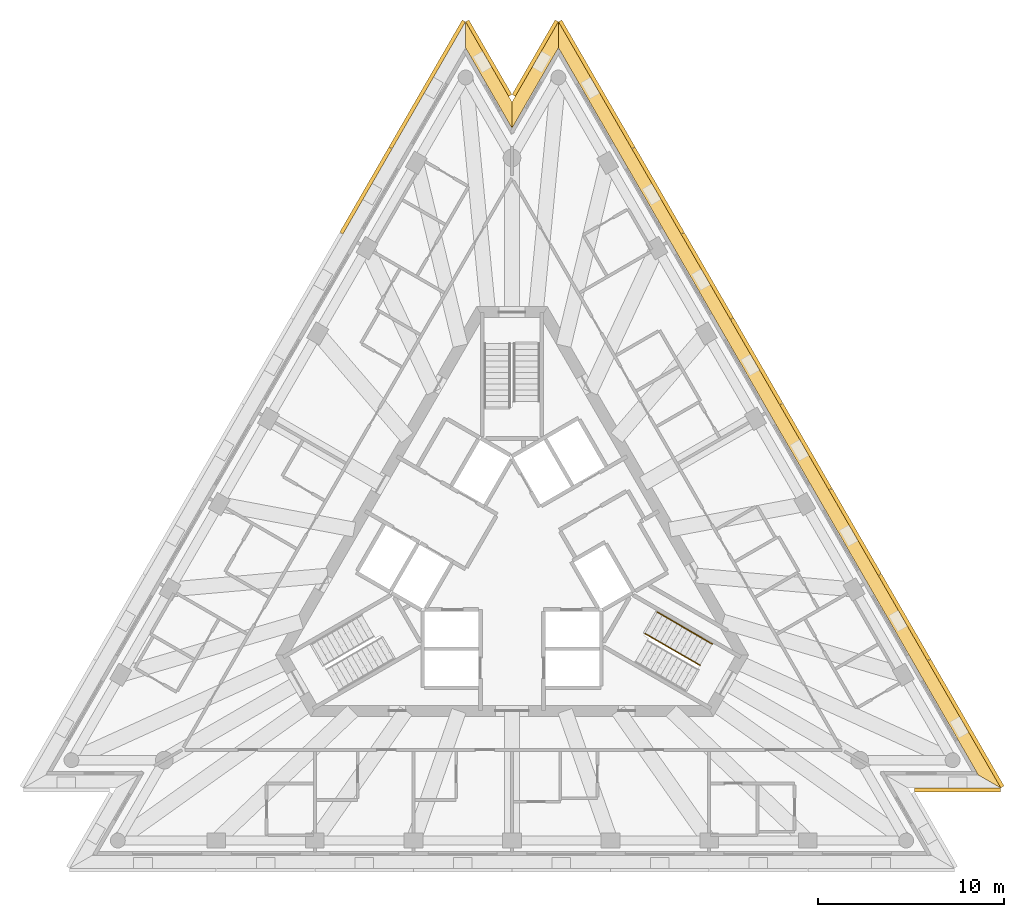
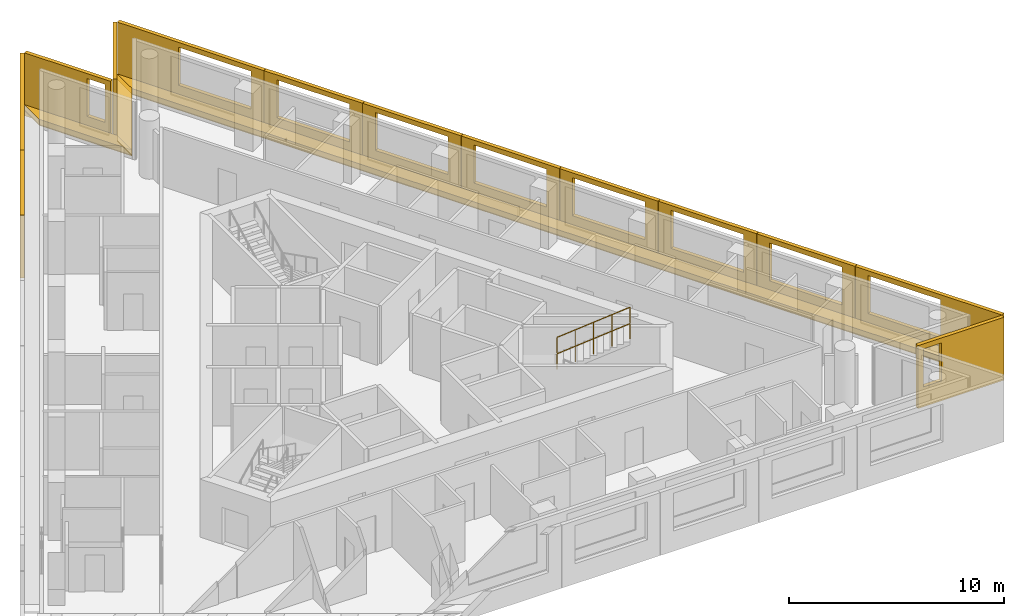
# One storey, part 11 of 11: 16 shading devices, 3 coverings, 2 railings, 1 element without a shape of its own.
"""IFC4 building model written with IfcOpenShell, lengths in metres."""

import ifcopenshell
import ifcopenshell.guid

model = None  # the IFC model being written
_history = None  # IfcOwnerHistory: only IFC2X3 demands one
_inside = {}  # id of a spatial element -> (the spatial element, [elements in it])
_under = {}  # id of a project, library or spatial element -> (it, [spatial elements below it])
_declared = {}  # id of a project -> (the project, [libraries it declares])
_typed = {}  # id of a type object -> (the type object, [elements of that type])
_made_of = {}  # id of a material, layer set ... -> (it, [elements and type objects made of it])


def new_model(schema):
    """Start an empty IFC model of exactly this schema.

    Asked for "IFC4X3", IfcOpenShell would pick the latest addendum, in which some entities
    have other attributes; the version numbers below select the first issue.
    IFC2X3 requires an IfcOwnerHistory on every rooted entity: one is made here for all.
    """
    global model, _history
    if schema == "IFC4X3":
        model = ifcopenshell.file(schema_version=(4, 3, 0, 0))
    else:
        model = ifcopenshell.file(schema=schema)
    _inside.clear()
    _under.clear()
    _declared.clear()
    _typed.clear()
    _made_of.clear()
    _history = None
    if model.schema == "IFC2X3":
        org = make("IfcOrganization", Name="unknown")
        user = make(
            "IfcPersonAndOrganization",
            ThePerson=make("IfcPerson", FamilyName="unknown"),
            TheOrganization=org,
        )
        app = make(
            "IfcApplication",
            ApplicationDeveloper=org,
            Version="unknown",
            ApplicationFullName="unknown",
            ApplicationIdentifier="unknown",
        )
        _history = make(
            "IfcOwnerHistory",
            OwningUser=user,
            OwningApplication=app,
            ChangeAction="ADDED",
            CreationDate=0,
        )
    return model


def make(cls, **values):
    """One entity of the class cls with the attributes given. An attribute that is None is left unset."""
    return model.create_entity(
        cls, **{name: value for name, value in values.items() if value is not None}
    )


def rooted(cls, **values):
    """An entity with a GlobalId (a new one), such as an element, a storey or a relation."""
    return make(cls, GlobalId=ifcopenshell.guid.new(), OwnerHistory=_history, **values)


def si_unit(unit_type, name, prefix=None):
    """IfcSIUnit, for example si_unit("LENGTHUNIT", "METRE", prefix="MILLI")."""
    return make("IfcSIUnit", UnitType=unit_type, Prefix=prefix, Name=name)


def assignment(units):
    """IfcUnitAssignment: the units of a project."""
    return None if units is None else make("IfcUnitAssignment", Units=units)


def point(xyz):
    """IfcCartesianPoint."""
    return None if xyz is None else make("IfcCartesianPoint", Coordinates=xyz)


def direction(xyz):
    """IfcDirection."""
    return None if xyz is None else make("IfcDirection", DirectionRatios=xyz)


def frame(location, z_axis=None, x_axis=None):
    """IfcAxis2Placement3D, a coordinate frame: its origin and axes. An axis left out is left unset."""
    return make(
        "IfcAxis2Placement3D",
        Location=point(location),
        Axis=direction(z_axis),
        RefDirection=direction(x_axis),
    )


def frame_2d(location, x_axis=None):
    """IfcAxis2Placement2D, a coordinate frame in the plane: its origin and x axis."""
    return make(
        "IfcAxis2Placement2D", Location=point(location), RefDirection=direction(x_axis)
    )


def origin():
    """The frame at (0, 0, 0) with its axes left unset."""
    return frame((0.0, 0.0, 0.0))


def origin_2d():
    """The frame at (0, 0) in the plane with its x axis left unset."""
    return frame_2d((0.0, 0.0))


def place(relative_to, where):
    """IfcLocalPlacement: puts the frame where relative to a parent placement (None: the world)."""
    return make(
        "IfcLocalPlacement", PlacementRelTo=relative_to, RelativePlacement=where
    )


def context(
    kind, dimensions, precision=None, world=None, true_north=None, identifier=None
):
    """IfcGeometricRepresentationContext, for example the 3D "Model" context."""
    return make(
        "IfcGeometricRepresentationContext",
        ContextIdentifier=identifier,
        ContextType=kind,
        CoordinateSpaceDimension=dimensions,
        Precision=precision,
        WorldCoordinateSystem=world,
        TrueNorth=true_north,
    )


def subcontext(parent, identifier, kind, view, scale=None):
    """IfcGeometricRepresentationSubContext, for example "Body" below "Model"."""
    return make(
        "IfcGeometricRepresentationSubContext",
        ContextIdentifier=identifier,
        ContextType=kind,
        ParentContext=parent,
        TargetScale=scale,
        TargetView=view,
    )


def project(units=None, contexts=None):
    """IfcProject with its units and contexts."""
    return rooted(
        "IfcProject",
        Name="project",
        RepresentationContexts=contexts,
        UnitsInContext=assignment(units),
    )


def spatial(cls, under=None, at=None, **own):
    """A site, building, storey or space (cls), placed at a placement, below another one or the project."""
    s = rooted(cls, ObjectPlacement=at, **own)
    if under is not None:
        _under.setdefault(under.id(), (under, []))[1].append(s)
    return s


def polyline(points):
    """IfcPolyline through the points."""
    return make("IfcPolyline", Points=[point(p) for p in points])


def profile(cls, at=None, kind="AREA", **sizes):
    """A parametric profile (cls). Its sizes go by their IFC names, for example OverallWidth=200.0."""
    return make(cls, ProfileType=kind, Position=at, **sizes)


def circle(**sizes):
    """IfcCircleProfileDef."""
    return profile("IfcCircleProfileDef", **sizes)


def outline(outer, holes=None, kind="AREA"):
    """IfcArbitraryClosedProfileDef: a profile drawn as a closed curve; with holes, ...WithVoids."""
    if holes is None:
        return make("IfcArbitraryClosedProfileDef", ProfileType=kind, OuterCurve=outer)
    return make(
        "IfcArbitraryProfileDefWithVoids",
        ProfileType=kind,
        OuterCurve=outer,
        InnerCurves=holes,
    )


def extrude(swept, where, along, depth):
    """IfcExtrudedAreaSolid: the profile swept, set in the frame where, extruded along a direction by depth."""
    return make(
        "IfcExtrudedAreaSolid",
        SweptArea=swept,
        Position=where,
        ExtrudedDirection=direction(along),
        Depth=depth,
    )


def shape(context_of_items, identifier, shape_type, items):
    """IfcShapeRepresentation: the items that make up one representation, for example the "Body"."""
    return make(
        "IfcShapeRepresentation",
        ContextOfItems=context_of_items,
        RepresentationIdentifier=identifier,
        RepresentationType=shape_type,
        Items=items,
    )


def material(Name=None, Category=None):
    """IfcMaterial."""
    return make("IfcMaterial", Name=Name, Category=Category)


def layer(
    of_material, thickness, ventilated=None, Name=None, Category=None, Priority=None
):
    """IfcMaterialLayer: one layer of a wall or slab, of a material (None: an air gap)."""
    return make(
        "IfcMaterialLayer",
        Material=of_material,
        LayerThickness=thickness,
        IsVentilated=ventilated,
        Name=Name,
        Category=Category,
        Priority=Priority,
    )


def layer_set(layers, Name=None):
    """IfcMaterialLayerSet."""
    return make("IfcMaterialLayerSet", MaterialLayers=layers, LayerSetName=Name)


def layer_usage(for_layer_set, set_direction, sense, offset, extent=None):
    """IfcMaterialLayerSetUsage: how a layer set lies in its element."""
    return make(
        "IfcMaterialLayerSetUsage",
        ForLayerSet=for_layer_set,
        LayerSetDirection=set_direction,
        DirectionSense=sense,
        OffsetFromReferenceLine=offset,
        ReferenceExtent=extent,
    )


def made_of(thing, what):
    """Note that an element or type object is made of a material, layer set ...; save() writes the relation."""
    if what is not None:
        _made_of.setdefault(what.id(), (what, []))[1].append(thing)
    return thing


def type_object(cls, material=None, **own):
    """A type object (cls), such as IfcWallType, which elements share."""
    return made_of(rooted(cls, **own), material)


def element(
    cls,
    number,
    at=None,
    inside=None,
    cuts=None,
    type_object=None,
    material=None,
    context=None,
    identifier="Body",
    shape_type=None,
    held_by="IfcProductDefinitionShape",
    body=None,
    shapes=None,
    **own,
):
    """One element of the class cls, such as IfcWall. Its Tag is "e" and its number.

    at: its placement. inside: the storey or other place that contains it. cuts: it is an
    opening in that element (IfcRelVoidsElement). A single representation is given by context,
    identifier, shape_type and body (its items); several are given by shapes. held_by: the class
    of the entity that holds the representations. save() writes the other relations.
    """
    e = rooted(cls, Tag="e%d" % number, ObjectPlacement=at, **own)
    if body is not None:
        shapes = [shape(context, identifier, shape_type, body)]
    if shapes is not None:
        e.Representation = make(held_by, Representations=shapes)
    if inside is not None:
        _inside.setdefault(inside.id(), (inside, []))[1].append(e)
    if cuts is not None:
        rooted(
            "IfcRelVoidsElement", RelatingBuildingElement=cuts, RelatedOpeningElement=e
        )
    if type_object is not None:
        _typed.setdefault(type_object.id(), (type_object, []))[1].append(e)
    return made_of(e, material)


def aggregate(whole, parts):
    """IfcRelAggregates: a whole, such as a stair, and the parts it consists of."""
    return rooted("IfcRelAggregates", RelatingObject=whole, RelatedObjects=parts)


def save(model, path):
    """Write the relations noted so far, then the file.

    IfcRelAggregates (storeys below a building ...), IfcRelContainedInSpatialStructure (elements
    in a storey), IfcRelDefinesByType, IfcRelAssociatesMaterial and IfcRelDeclares: one each for
    every whole, place, type object, material and project.
    """
    for whole, parts in _under.values():
        aggregate(whole, parts)
    for where, things in _inside.values():
        rooted(
            "IfcRelContainedInSpatialStructure",
            RelatedElements=things,
            RelatingStructure=where,
        )
    for kind, things in _typed.values():
        rooted("IfcRelDefinesByType", RelatedObjects=things, RelatingType=kind)
    for what, things in _made_of.values():
        rooted("IfcRelAssociatesMaterial", RelatedObjects=things, RelatingMaterial=what)
    for by, libraries in _declared.values():
        rooted("IfcRelDeclares", RelatingContext=by, RelatedDefinitions=libraries)
    model.write(path)


model = new_model("IFC4")

# Units and contexts
model_context = context("Model", 3, precision=1e-05, world=origin(), true_north=direction((0.0, 1.0)))
body_context = subcontext(model_context, "Body", "Model", "MODEL_VIEW")
ifc_project = project(units=[si_unit("LENGTHUNIT", "METRE"), si_unit("AREAUNIT", "SQUARE_METRE"), si_unit("VOLUMEUNIT", "CUBIC_METRE"), si_unit("PLANEANGLEUNIT", "RADIAN"), si_unit("MASSUNIT", "GRAM", prefix="KILO")], contexts=[model_context])

# Site, building, storey
site_placement = place(None, origin())
site = spatial("IfcSite", under=ifc_project, at=site_placement, CompositionType="ELEMENT")
building_placement = place(site_placement, origin())
building = spatial("IfcBuilding", under=site, at=building_placement, Name="Triada Interchange Tower", CompositionType="ELEMENT")
storey_placement = place(building_placement, frame((0.0, 0.0, 300.699951171875)))
storey = spatial("IfcBuildingStorey", under=building, at=storey_placement, Name="L71", CompositionType="ELEMENT", Elevation=300.699951171875)

# Coverings
ifc_material_1 = material(Name="Mineral fire-stop board")
ifc_layer_1 = layer(ifc_material_1, 0.0400390625, Name="Mineral fire-stop board")
ifc_material_2 = material(Name="Intumescent sealant")
ifc_layer_2 = layer(ifc_material_2, 0.010009765625, Name="Intumescent seal")
ifc_layer_set_1 = layer_set([ifc_layer_1, ifc_layer_2], Name="Cavity fire stop")
ifc_layer_usage = layer_usage(ifc_layer_set_1, "AXIS3", "POSITIVE", 0.0)
covering_type = type_object("IfcCoveringType", Name="Cavity fire stop", PredefinedType="INSULATION", material=ifc_layer_set_1)
covering_1_placement = place(storey_placement, origin())
element("IfcCovering", 1, at=covering_1_placement, inside=storey, type_object=covering_type, material=ifc_layer_usage, Name="Cavity fire stop L71 NE", PredefinedType="INSULATION", context=body_context, shape_type="SweptSolid", body=[
    extrude(outline(polyline([(25.087890625, -11.60009765625), (26.300048828125, -12.300048828125), (2.498046875, 28.927001953125), (2.498046875, 27.527099609375), (25.087890625, -11.60009765625)])), origin(), (0.0, 0.0, 1.0), 0.050048828125),
])
covering_2_placement = place(storey_placement, origin())
element("IfcCovering", 2, at=covering_2_placement, inside=storey, type_object=covering_type, material=ifc_layer_usage, Name="Cavity fire stop L71 N-1", PredefinedType="INSULATION", context=body_context, shape_type="SweptSolid", body=[
    extrude(outline(polyline([(2.498046875, 27.527099609375), (2.498046875, 28.927001953125), (0.0, 24.59912109375), (0.0, 23.198974609375), (2.498046875, 27.527099609375)])), origin(), (0.0, 0.0, 1.0), 0.050048828125),
])
covering_3_placement = place(storey_placement, origin())
element("IfcCovering", 3, at=covering_3_placement, inside=storey, type_object=covering_type, material=ifc_layer_usage, Name="Cavity fire stop L71 N-2", PredefinedType="INSULATION", context=body_context, shape_type="SweptSolid", body=[
    extrude(outline(polyline([(0.0, 23.198974609375), (0.0, 24.59912109375), (-2.498046875, 28.927001953125), (-2.498046875, 27.527099609375), (0.0, 23.198974609375)])), origin(), (0.0, 0.0, 1.0), 0.050048828125),
])

# Shading devices
ifc_material_3 = material(Name="Aluminium louvre", Category="aluminium")
shading_device_type_1 = type_object("IfcShadingDeviceType", Name="Cavity louvre grille", PredefinedType="JALOUSIE", material=ifc_material_3)
shading_device_1_placement = place(storey_placement, frame((0.0, 0.0, 0.050048828125)))
element("IfcShadingDevice", 4, at=shading_device_1_placement, inside=storey, type_object=shading_device_type_1, Name="Cavity louvre grille L71 NE", PredefinedType="JALOUSIE", context=body_context, shape_type="SweptSolid", body=[
    extrude(outline(polyline([(25.087890625, -11.60009765625), (26.300048828125, -12.300048828125), (2.498046875, 28.927001953125), (2.498046875, 27.527099609375), (25.087890625, -11.60009765625)])), origin(), (0.0, 0.0, 1.0), 0.300048828125),
])
shading_device_2_placement = place(storey_placement, frame((0.0, 0.0, 0.050048828125)))
element("IfcShadingDevice", 5, at=shading_device_2_placement, inside=storey, type_object=shading_device_type_1, Name="Cavity louvre grille L71 N-1", PredefinedType="JALOUSIE", context=body_context, shape_type="SweptSolid", body=[
    extrude(outline(polyline([(2.498046875, 27.527099609375), (2.498046875, 28.927001953125), (0.0, 24.59912109375), (0.0, 23.198974609375), (2.498046875, 27.527099609375)])), origin(), (0.0, 0.0, 1.0), 0.300048828125),
])
shading_device_3_placement = place(storey_placement, frame((0.0, 0.0, 0.050048828125)))
element("IfcShadingDevice", 6, at=shading_device_3_placement, inside=storey, type_object=shading_device_type_1, Name="Cavity louvre grille L71 N-2", PredefinedType="JALOUSIE", context=body_context, shape_type="SweptSolid", body=[
    extrude(outline(polyline([(0.0, 23.198974609375), (0.0, 24.59912109375), (-2.498046875, 28.927001953125), (-2.498046875, 27.527099609375), (0.0, 23.198974609375)])), origin(), (0.0, 0.0, 1.0), 0.300048828125),
])
ifc_material_4 = material(Name="Concrete C50/60 precast", Category="concrete")
ifc_layer_3 = layer(ifc_material_4, 0.02001953125, Name="Exposed aggregate face")
ifc_layer_4 = layer(ifc_material_4, 0.179931640625, Name="Precast concrete screen")
ifc_layer_set_2 = layer_set([ifc_layer_3, ifc_layer_4], Name="Outer skin screen panel 3580")
shading_device_type_2 = type_object("IfcShadingDeviceType", Name="Outer skin screen panel 3580", PredefinedType="SHUTTER", material=ifc_layer_set_2)
shading_device_4_placement = place(storey_placement, frame((-2.5029296875, 28.91796875, -0.2900390625), z_axis=(0.0, 0.0, 1.0), x_axis=(-0.500088123115, -0.865974519902, 0.0)))
element("IfcShadingDevice", 7, at=shading_device_4_placement, inside=storey, type_object=shading_device_type_2, Name="Outer skin screen panel L71 01", PredefinedType="SHUTTER", context=body_context, shape_type="SweptSolid", body=[
    extrude(outline(polyline([(0.0, 0.0), (7.87890625, 0.0), (7.87890625, 3.580078125), (0.0, 3.580078125), (0.0, 0.0)]), holes=[polyline([(3.28857421875, 1.139892578125), (3.28857421875, 3.300048828125), (7.188720703125, 3.300048828125), (7.188720703125, 1.139892578125), (3.28857421875, 1.139892578125)])]), frame((0.0, 0.0, 0.0), z_axis=(0.0, -1.0, 0.0), x_axis=(1.0, 0.0, 0.0)), (0.0, 0.0, 1.0), 0.199951171875),
])
shading_device_5_placement = place(storey_placement, frame((-6.452880859375, 22.076904296875, -0.2900390625), z_axis=(0.0, 0.0, 1.0), x_axis=(-0.499987936291, -0.866032368658, 0.0)))
element("IfcShadingDevice", 8, at=shading_device_5_placement, inside=storey, type_object=shading_device_type_2, Name="Outer skin screen panel L71 02", PredefinedType="SHUTTER", context=body_context, shape_type="SweptSolid", body=[
    extrude(outline(polyline([(0.0, 0.0), (5.280517578125, 0.0), (5.280517578125, 3.580078125), (0.0, 3.580078125), (0.0, 0.0)]), holes=[polyline([(0.6904296875, 1.139892578125), (0.6904296875, 3.300048828125), (4.59033203125, 3.300048828125), (4.59033203125, 1.139892578125), (0.6904296875, 1.139892578125)])]), frame((0.0, 0.0, 0.0), z_axis=(0.0, -1.0, 0.0), x_axis=(1.0, 0.0, 0.0)), (0.0, 0.0, 1.0), 0.199951171875),
])
shading_device_6_placement = place(storey_placement, frame((21.659912109375, -12.300048828125, -0.2900390625), z_axis=(0.0, 0.0, 1.0), x_axis=(1.0, 0.0, 0.0)))
element("IfcShadingDevice", 9, at=shading_device_6_placement, inside=storey, type_object=shading_device_type_2, Name="Outer skin screen panel L71 20", PredefinedType="SHUTTER", context=body_context, shape_type="SweptSolid", body=[
    extrude(outline(polyline([(0.0, 0.0), (4.630126953125, 0.0), (4.630126953125, 3.580078125), (0.0, 3.580078125), (0.0, 0.0)]), holes=[polyline([(0.300048828125, 1.139892578125), (0.300048828125, 3.300048828125), (1.258056640625, 3.300048828125), (1.258056640625, 1.139892578125), (0.300048828125, 1.139892578125)])]), frame((0.0, 0.0, 0.0), z_axis=(0.0, -1.0, 0.0), x_axis=(1.0, 0.0, 0.0)), (0.0, 0.0, 1.0), 0.199951171875),
])
shading_device_7_placement = place(storey_placement, frame((26.294921875, -12.291015625, -0.2900390625), z_axis=(0.0, 0.0, 1.0), x_axis=(-0.499971924588, 0.866041612524, 0.0)))
element("IfcShadingDevice", 10, at=shading_device_7_placement, inside=storey, type_object=shading_device_type_2, Name="Outer skin screen panel L71 21", PredefinedType="SHUTTER", context=body_context, shape_type="SweptSolid", body=[
    extrude(outline(polyline([(0.0, 0.0), (7.87841796875, 0.0), (7.87841796875, 3.580078125), (0.0, 3.580078125), (0.0, 0.0)]), holes=[polyline([(3.288330078125, 1.139892578125), (3.288330078125, 3.300048828125), (7.188232421875, 3.300048828125), (7.188232421875, 1.139892578125), (3.288330078125, 1.139892578125)])]), frame((0.0, 0.0, 0.0), z_axis=(0.0, -1.0, 0.0), x_axis=(1.0, 0.0, 0.0)), (0.0, 0.0, 1.0), 0.199951171875),
])
shading_device_8_placement = place(storey_placement, frame((22.345947265625, -5.449951171875, -0.2900390625), z_axis=(0.0, 0.0, 1.0), x_axis=(-0.500091956443, 0.865972306197, 0.0)))
element("IfcShadingDevice", 11, at=shading_device_8_placement, inside=storey, type_object=shading_device_type_2, Name="Outer skin screen panel L71 22", PredefinedType="SHUTTER", context=body_context, shape_type="SweptSolid", body=[
    extrude(outline(polyline([(0.0, 0.0), (5.28076171875, 0.0), (5.28076171875, 3.580078125), (0.0, 3.580078125), (0.0, 0.0)]), holes=[polyline([(0.690185546875, 1.139892578125), (0.690185546875, 3.300048828125), (4.590087890625, 3.300048828125), (4.590087890625, 1.139892578125), (0.690185546875, 1.139892578125)])]), frame((0.0, 0.0, 0.0), z_axis=(0.0, -1.0, 0.0), x_axis=(1.0, 0.0, 0.0)), (0.0, 0.0, 1.0), 0.199951171875),
])
shading_device_9_placement = place(storey_placement, frame((19.695068359375, -0.860107421875, -0.2900390625), z_axis=(0.0, 0.0, 1.0), x_axis=(-0.499887852359, 0.866090142574, 0.0)))
element("IfcShadingDevice", 12, at=shading_device_9_placement, inside=storey, type_object=shading_device_type_2, Name="Outer skin screen panel L71 23", PredefinedType="SHUTTER", context=body_context, shape_type="SweptSolid", body=[
    extrude(outline(polyline([(0.0, 0.0), (5.281494140625, 0.0), (5.281494140625, 3.580078125), (0.0, 3.580078125), (0.0, 0.0)]), holes=[polyline([(0.690185546875, 1.139892578125), (0.690185546875, 3.300048828125), (4.590087890625, 3.300048828125), (4.590087890625, 1.139892578125), (0.690185546875, 1.139892578125)])]), frame((0.0, 0.0, 0.0), z_axis=(0.0, -1.0, 0.0), x_axis=(1.0, 0.0, 0.0)), (0.0, 0.0, 1.0), 0.199951171875),
])
shading_device_10_placement = place(storey_placement, frame((17.044921875, 3.73095703125, -0.2900390625), z_axis=(0.0, 0.0, 1.0), x_axis=(-0.500011881073, 0.866018544135, 0.0)))
element("IfcShadingDevice", 13, at=shading_device_10_placement, inside=storey, type_object=shading_device_type_2, Name="Outer skin screen panel L71 24", PredefinedType="SHUTTER", context=body_context, shape_type="SweptSolid", body=[
    extrude(outline(polyline([(0.0, 0.0), (5.281494140625, 0.0), (5.281494140625, 3.580078125), (0.0, 3.580078125), (0.0, 0.0)]), holes=[polyline([(0.68994140625, 1.139892578125), (0.68994140625, 3.300048828125), (4.590087890625, 3.300048828125), (4.590087890625, 1.139892578125), (0.68994140625, 1.139892578125)])]), frame((0.0, 0.0, 0.0), z_axis=(0.0, -1.0, 0.0), x_axis=(1.0, 0.0, 0.0)), (0.0, 0.0, 1.0), 0.199951171875),
])
shading_device_11_placement = place(storey_placement, frame((14.39404296875, 8.322021484375, -0.2900390625), z_axis=(0.0, 0.0, 1.0), x_axis=(-0.499907866474, 0.866078590566, 0.0)))
element("IfcShadingDevice", 14, at=shading_device_11_placement, inside=storey, type_object=shading_device_type_2, Name="Outer skin screen panel L71 25", PredefinedType="SHUTTER", context=body_context, shape_type="SweptSolid", body=[
    extrude(outline(polyline([(0.0, 0.0), (5.28125, 0.0), (5.28125, 3.580078125), (0.0, 3.580078125), (0.0, 0.0)]), holes=[polyline([(0.69091796875, 1.139892578125), (0.69091796875, 3.300048828125), (4.591064453125, 3.300048828125), (4.591064453125, 1.139892578125), (0.69091796875, 1.139892578125)])]), frame((0.0, 0.0, 0.0), z_axis=(0.0, -1.0, 0.0), x_axis=(1.0, 0.0, 0.0)), (0.0, 0.0, 1.0), 0.199951171875),
])
shading_device_12_placement = place(storey_placement, frame((11.743896484375, 12.9130859375, -0.2900390625), z_axis=(0.0, 0.0, 1.0), x_axis=(-0.500011881073, 0.866018544135, 0.0)))
element("IfcShadingDevice", 15, at=shading_device_12_placement, inside=storey, type_object=shading_device_type_2, Name="Outer skin screen panel L71 26", PredefinedType="SHUTTER", context=body_context, shape_type="SweptSolid", body=[
    extrude(outline(polyline([(0.0, 0.0), (5.281494140625, 0.0), (5.281494140625, 3.580078125), (0.0, 3.580078125), (0.0, 0.0)]), holes=[polyline([(0.69091796875, 1.139892578125), (0.69091796875, 3.300048828125), (4.5908203125, 3.300048828125), (4.5908203125, 1.139892578125), (0.69091796875, 1.139892578125)])]), frame((0.0, 0.0, 0.0), z_axis=(0.0, -1.0, 0.0), x_axis=(1.0, 0.0, 0.0)), (0.0, 0.0, 1.0), 0.199951171875),
])
shading_device_13_placement = place(storey_placement, frame((9.093017578125, 17.50390625, -0.2900390625), z_axis=(0.0, 0.0, 1.0), x_axis=(-0.499987936291, 0.866032368658, 0.0)))
element("IfcShadingDevice", 16, at=shading_device_13_placement, inside=storey, type_object=shading_device_type_2, Name="Outer skin screen panel L71 27", PredefinedType="SHUTTER", context=body_context, shape_type="SweptSolid", body=[
    extrude(outline(polyline([(0.0, 0.0), (5.280517578125, 0.0), (5.280517578125, 3.580078125), (0.0, 3.580078125), (0.0, 0.0)]), holes=[polyline([(0.69091796875, 1.139892578125), (0.69091796875, 3.300048828125), (4.5908203125, 3.300048828125), (4.5908203125, 1.139892578125), (0.69091796875, 1.139892578125)])]), frame((0.0, 0.0, 0.0), z_axis=(0.0, -1.0, 0.0), x_axis=(1.0, 0.0, 0.0)), (0.0, 0.0, 1.0), 0.199951171875),
])
shading_device_14_placement = place(storey_placement, frame((6.443115234375, 22.094970703125, -0.2900390625), z_axis=(0.0, 0.0, 1.0), x_axis=(-0.500088123115, 0.865974519902, 0.0)))
element("IfcShadingDevice", 17, at=shading_device_14_placement, inside=storey, type_object=shading_device_type_2, Name="Outer skin screen panel L71 28", PredefinedType="SHUTTER", context=body_context, shape_type="SweptSolid", body=[
    extrude(outline(polyline([(0.0, 0.0), (7.87890625, 0.0), (7.87890625, 3.580078125), (0.0, 3.580078125), (0.0, 0.0)]), holes=[polyline([(0.69091796875, 1.139892578125), (0.69091796875, 3.300048828125), (4.5908203125, 3.300048828125), (4.5908203125, 1.139892578125), (0.69091796875, 1.139892578125)])]), frame((0.0, 0.0, 0.0), z_axis=(0.0, -1.0, 0.0), x_axis=(1.0, 0.0, 0.0)), (0.0, 0.0, 1.0), 0.199951171875),
])
shading_device_15_placement = place(storey_placement, frame((2.492919921875, 28.91796875, -0.2900390625), z_axis=(0.0, 0.0, 1.0), x_axis=(-0.499961317165, -0.866047736178, 0.0)))
element("IfcShadingDevice", 18, at=shading_device_15_placement, inside=storey, type_object=shading_device_type_2, Name="Outer skin screen panel L71 29", PredefinedType="SHUTTER", context=body_context, shape_type="SweptSolid", body=[
    extrude(outline(polyline([(0.0, 0.0), (4.630126953125, 0.0), (4.630126953125, 3.580078125), (0.0, 3.580078125), (0.0, 0.0)]), holes=[polyline([(3.17578125, 1.139892578125), (3.17578125, 3.300048828125), (4.330810546875, 3.300048828125), (4.330810546875, 1.139892578125), (3.17578125, 1.139892578125)])]), frame((0.0, 0.0, 0.0), z_axis=(0.0, -1.0, 0.0), x_axis=(1.0, 0.0, 0.0)), (0.0, 0.0, 1.0), 0.199951171875),
])
shading_device_16_placement = place(storey_placement, frame((-0.177978515625, 24.907958984375, -0.2900390625), z_axis=(0.0, 0.0, 1.0), x_axis=(-0.499961317165, 0.866047736178, 0.0)))
element("IfcShadingDevice", 19, at=shading_device_16_placement, inside=storey, type_object=shading_device_type_2, Name="Outer skin screen panel L71 30", PredefinedType="SHUTTER", context=body_context, shape_type="SweptSolid", body=[
    extrude(outline(polyline([(0.0, 0.0), (4.630126953125, 0.0), (4.630126953125, 3.580078125), (0.0, 3.580078125), (0.0, 0.0)]), holes=[polyline([(0.300048828125, 1.139892578125), (0.300048828125, 3.300048828125), (1.2578125, 3.300048828125), (1.2578125, 1.139892578125), (0.300048828125, 1.139892578125)])]), frame((0.0, 0.0, 0.0), z_axis=(0.0, -1.0, 0.0), x_axis=(1.0, 0.0, 0.0)), (0.0, 0.0, 1.0), 0.199951171875),
])

# Stair, railings
ifc_material_5 = material(Name="Concrete C35/45", Category="concrete")
stair_type = type_object("IfcStairType", Name="HALF TURN STAIR 1400", PredefinedType="HALF_TURN_STAIR", material=ifc_material_5)
stair_placement = place(storey_placement, origin())
stair = element("IfcStair", 20, at=stair_placement, inside=storey, type_object=stair_type, Name="Exit stair S71-3", PredefinedType="HALF_TURN_STAIR")
ifc_material_6 = material(Name="Stainless steel 1.4301", Category="steel")
railing_type = type_object("IfcRailingType", Name="STAIR HANDRAIL 900", PredefinedType="HANDRAIL", material=ifc_material_6)
railing_1_placement = place(storey_placement, frame((7.818115234375, -2.839111328125, 1.878173828125)))
railing_1 = element("IfcRailing", 21, at=railing_1_placement, type_object=railing_type, Name="Handrail S71-3 2W", PredefinedType="HANDRAIL", context=body_context, shape_type="SweptSolid", body=[
    extrude(circle(Radius=0.02392578125, at=origin_2d()), frame((0.0, 0.0, 0.8759765625), z_axis=(0.773065188623, -0.4463261027, 0.450736313367), x_axis=(0.499997234054, 0.866027000698, 0.0)), (0.0, 0.0, 1.0), 3.81982421875),
    extrude(circle(Radius=0.02099609375, at=origin_2d()), origin(), (0.0, 0.0, 1.0), 0.851806640625),
    extrude(circle(Radius=0.02099609375, at=origin_2d()), frame((0.73828125, -0.42626953125, 0.430419921875)), (0.0, 0.0, 1.0), 0.851806640625),
    extrude(circle(Radius=0.02099609375, at=origin_2d()), frame((1.4765625, -0.8525390625, 0.86083984375)), (0.0, 0.0, 1.0), 0.851806640625),
    extrude(circle(Radius=0.02099609375, at=origin_2d()), frame((2.214599609375, -1.278564453125, 1.291259765625)), (0.0, 0.0, 1.0), 0.851806640625),
    extrude(circle(Radius=0.02099609375, at=origin_2d()), frame((2.952880859375, -1.704833984375, 1.7216796875)), (0.0, 0.0, 1.0), 0.851806640625),
])
railing_2_placement = place(storey_placement, frame((7.153076171875, -3.990966796875, 1.878173828125)))
railing_2 = element("IfcRailing", 22, at=railing_2_placement, type_object=railing_type, Name="Handrail S71-3 2C", PredefinedType="HANDRAIL", context=body_context, shape_type="SweptSolid", body=[
    extrude(circle(Radius=0.02392578125, at=origin_2d()), frame((0.0, 0.0, 0.8759765625), z_axis=(0.773043134431, -0.446377284073, 0.450723454651), x_axis=(0.500050932918, 0.865995995653, 0.0)), (0.0, 0.0, 1.0), 3.81982421875),
    extrude(circle(Radius=0.02099609375, at=origin_2d()), origin(), (0.0, 0.0, 1.0), 0.851806640625),
    extrude(circle(Radius=0.02099609375, at=origin_2d()), frame((0.73828125, -0.42626953125, 0.430419921875)), (0.0, 0.0, 1.0), 0.851806640625),
    extrude(circle(Radius=0.02099609375, at=origin_2d()), frame((1.4765625, -0.8525390625, 0.86083984375)), (0.0, 0.0, 1.0), 0.851806640625),
    extrude(circle(Radius=0.02099609375, at=origin_2d()), frame((2.214599609375, -1.27880859375, 1.291259765625)), (0.0, 0.0, 1.0), 0.851806640625),
    extrude(circle(Radius=0.02099609375, at=origin_2d()), frame((2.952880859375, -1.705078125, 1.7216796875)), (0.0, 0.0, 1.0), 0.851806640625),
])
aggregate(stair, [railing_1, railing_2])

save(model, "model.ifc")
